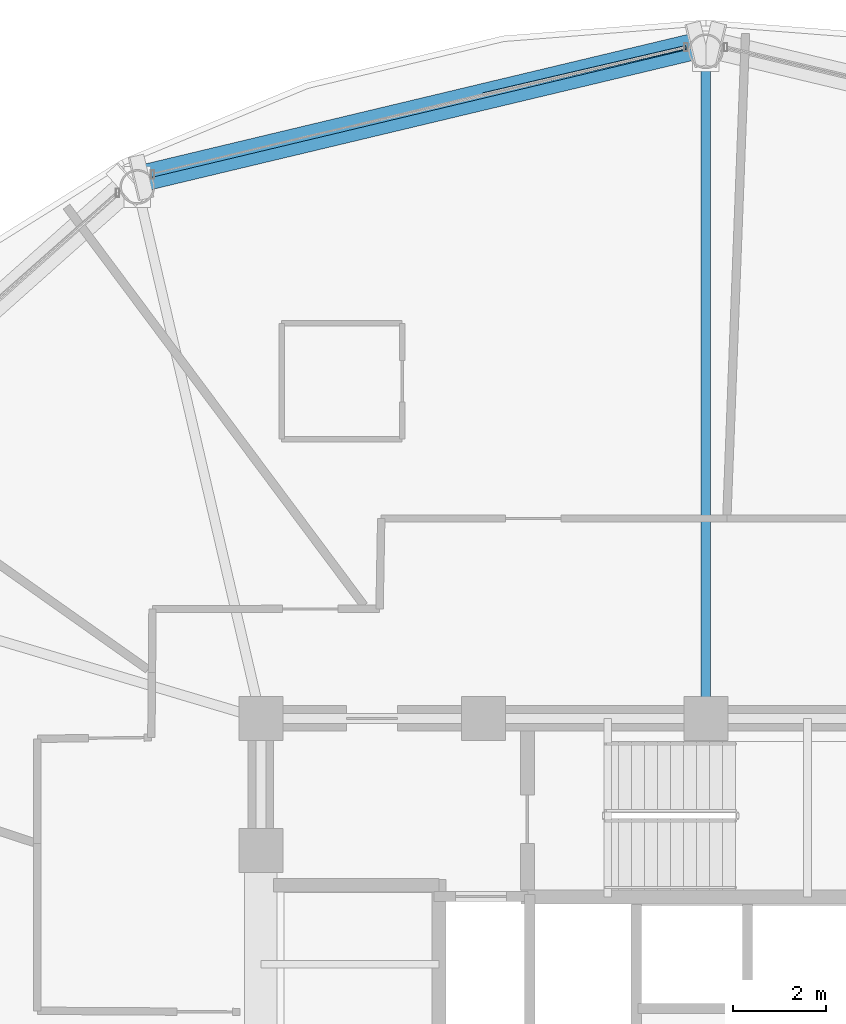
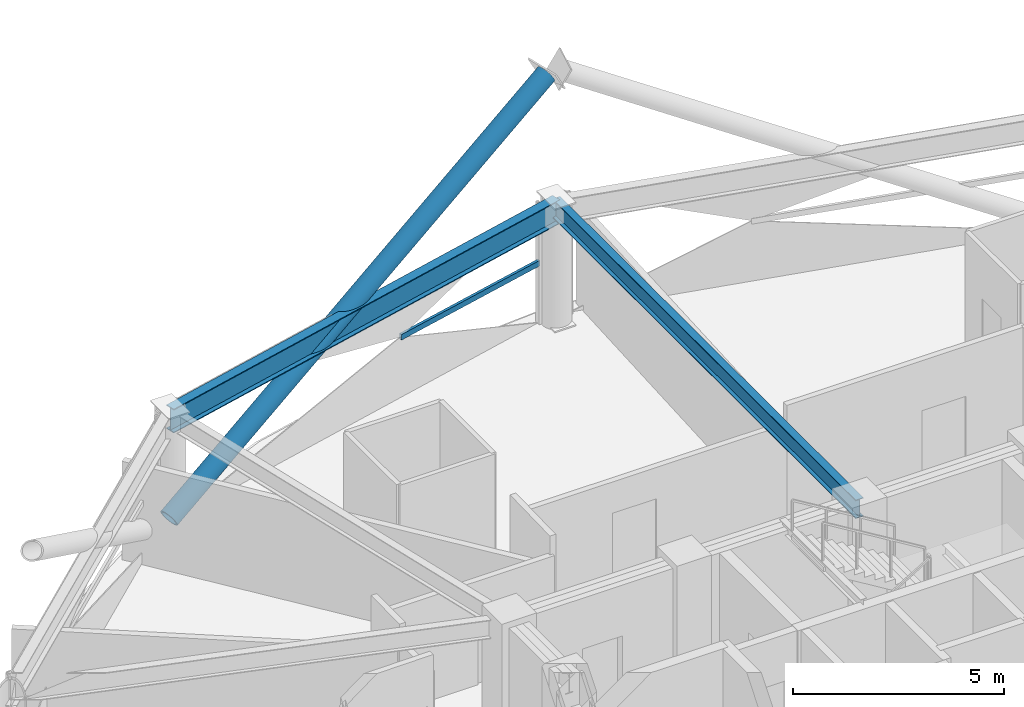
# One storey, part 15 of 29: 2 beams, 2 members, 1 element without a shape of its own.
"""IFC4 building model written with IfcOpenShell, lengths in metres."""

from ifc_helpers import new_model, si_unit, direction, frame, origin, origin_2d, place, context, subcontext, project, spatial, hollow_rectangle, hollow_circle, i_section, extrude, material, layer, layer_set, material_profile, profile_set, type_object, element, aggregate, save


model = new_model("IFC4")

# Units and contexts
model_context = context("Model", 3, precision=1e-05, world=origin(), true_north=direction((0.0, 1.0)))
body_context = subcontext(model_context, "Body", "Model", "MODEL_VIEW")
ifc_project = project(units=[si_unit("LENGTHUNIT", "METRE"), si_unit("AREAUNIT", "SQUARE_METRE"), si_unit("VOLUMEUNIT", "CUBIC_METRE"), si_unit("PLANEANGLEUNIT", "RADIAN"), si_unit("MASSUNIT", "GRAM", prefix="KILO")], contexts=[model_context])

# Site, building, storey
site_placement = place(None, origin())
site = spatial("IfcSite", under=ifc_project, at=site_placement, CompositionType="ELEMENT")
building_placement = place(site_placement, origin())
building = spatial("IfcBuilding", under=site, at=building_placement, Name="Vantalir Tower", CompositionType="ELEMENT")
storey_placement = place(building_placement, frame((0.0, 0.0, 164.699951171875)))
storey = spatial("IfcBuildingStorey", under=building, at=storey_placement, Name="L41", CompositionType="ELEMENT", Elevation=164.699951171875)

# Beams
ifc_material_1 = material(Name="Steel S355", Category="steel")
ifc_material_profile_1 = material_profile(ifc_material_1, i_section(OverallWidth=0.2109375, OverallDepth=0.5390625, WebThickness=0.01171875, FlangeThickness=0.018798828125, at=origin_2d()), Name="Steel S355")
ifc_profile_set_1 = profile_set([ifc_material_profile_1], Name="Steel S355")
beam_type_1 = type_object("IfcBeamType", Name="BM-RB-533x210", PredefinedType="BEAM", material=ifc_profile_set_1)
beam_1_placement = place(storey_placement, frame((31.5, 46.847900390625, 3.301025390625), z_axis=(0.0, -1.0, 0.0), x_axis=(1.0, 0.0, 0.0)))
element("IfcBeam", 1, at=beam_1_placement, inside=storey, type_object=beam_type_1, Name="L41 Radial Floor Beam 04", PredefinedType="BEAM", context=body_context, shape_type="SweptSolid", body=[
    extrude(i_section(OverallWidth=0.2109375, OverallDepth=0.5390625, WebThickness=0.01171875, FlangeThickness=0.018798828125, at=origin_2d()), origin(), (0.0, 0.0, 1.0), 14.39794921875),
])
ifc_material_2 = material(Name="Steel S460", Category="steel")
ifc_material_profile_2 = material_profile(ifc_material_2, i_section(OverallWidth=0.256103515625, OverallDepth=0.693115234375, WebThickness=0.014404296875, FlangeThickness=0.023681640625, at=origin_2d()), Name="Steel S460")
ifc_profile_set_2 = profile_set([ifc_material_profile_2], Name="Steel S460")
beam_type_2 = type_object("IfcBeamType", Name="BM-RG-686x254", PredefinedType="USERDEFINED", material=ifc_profile_set_2)
beam_2_placement = place(storey_placement, frame((31.5, 46.847900390625, 3.22412109375), z_axis=(-0.972698315596, -0.232073235934, 0.0), x_axis=(0.232073235934, -0.972698315596, 0.0)))
element("IfcBeam", 2, at=beam_2_placement, inside=storey, type_object=beam_type_2, Name="L41 Circumferential Ring Girder 04", ObjectType="GIRDER", PredefinedType="USERDEFINED", context=body_context, shape_type="SweptSolid", body=[
    extrude(i_section(OverallWidth=0.256103515625, OverallDepth=0.693115234375, WebThickness=0.014404296875, FlangeThickness=0.023681640625, at=origin_2d()), origin(), (0.0, 0.0, 1.0), 12.6123046875),
])

# Curtain wall, member
ifc_material_3 = material(Name="Champagne-silver PVDF aluminium and double-silver Low-E glass", Category="aluminium")
ifc_layer = layer(ifc_material_3, 0.199951171875)
ifc_layer_set = layer_set([ifc_layer], Name="Champagne-silver PVDF aluminium and double-silver Low-E glass")
curtain_wall_type = type_object("IfcCurtainWallType", Name="CW-DIAMOND-Z2", PredefinedType="USERDEFINED", material=ifc_layer_set)
curtain_wall_placement = place(storey_placement, origin())
curtain_wall = element("IfcCurtainWall", 3, at=curtain_wall_placement, inside=storey, type_object=curtain_wall_type, Name="L41 Quilted Pyramid-Diamond Curtain Wall S04", ObjectType="UNITISED CURTAIN WALL", PredefinedType="USERDEFINED")
ifc_material_4 = material(Name="Champagne-silver PVDF aluminium 6063-T6", Category="aluminium")
ifc_material_profile_3 = material_profile(ifc_material_4, hollow_rectangle(XDim=0.074951171875, YDim=0.159912109375, WallThickness=0.00390625, at=origin_2d()), Name="Champagne-silver PVDF aluminium 6063-T6")
ifc_profile_set_3 = profile_set([ifc_material_profile_3], Name="Champagne-silver PVDF aluminium 6063-T6")
member_type_1 = type_object("IfcMemberType", Name="CWT-160x75", PredefinedType="USERDEFINED", material=ifc_profile_set_3)
member_1_placement = place(storey_placement, frame((31.072021484375, 46.93603515625, 1.78515625), z_axis=(-0.973866841455, -0.227119737395, 0.0), x_axis=(0.227119737395, -0.973866841455, 0.0)))
member_1 = element("IfcMember", 4, at=member_1_placement, type_object=member_type_1, Name="CW-L41-S04 Pyramid Fold Ridge Transom", ObjectType="TRANSOM", PredefinedType="USERDEFINED", context=body_context, shape_type="SweptSolid", body=[
    extrude(hollow_rectangle(XDim=0.074951171875, YDim=0.159912109375, WallThickness=0.00390625, at=origin_2d()), origin(), (0.0, 0.0, 1.0), 4.495361328125),
])
aggregate(curtain_wall, [member_1])

# Member
ifc_material_profile_4 = material_profile(ifc_material_2, hollow_circle(Radius=0.260009765625, WallThickness=0.0380859375, at=origin_2d()), Name="Steel S460")
ifc_profile_set_4 = profile_set([ifc_material_profile_4], Name="Steel S460")
member_type_2 = type_object("IfcMemberType", Name="MEM-DB-520x38", PredefinedType="BRACE", material=ifc_profile_set_4)
member_2_placement = place(storey_placement, frame((19.322998046875, 44.1298828125, 0.18798828125), z_axis=(0.847464333398, 0.202345805513, 0.49077528321), x_axis=(-0.232238050254, 0.972658978273, 0.0)))
element("IfcMember", 5, at=member_2_placement, inside=storey, type_object=member_type_2, Name="L41 Perimeter S460 Diagrid Brace R13R", PredefinedType="BRACE", context=body_context, shape_type="SweptSolid", body=[
    extrude(hollow_circle(Radius=0.260009765625, WallThickness=0.0380859375, at=origin_2d()), origin(), (0.0, 0.0, 1.0), 14.149169921875),
])

save(model, "model.ifc")
